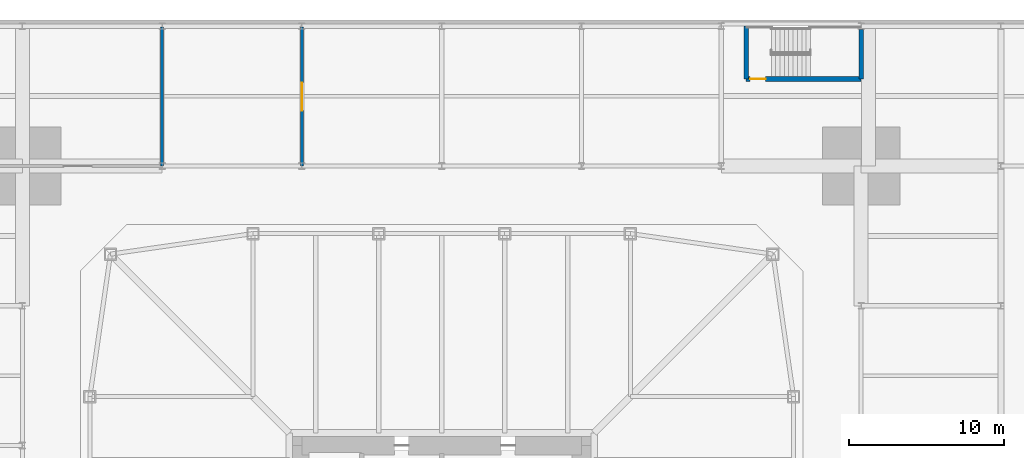
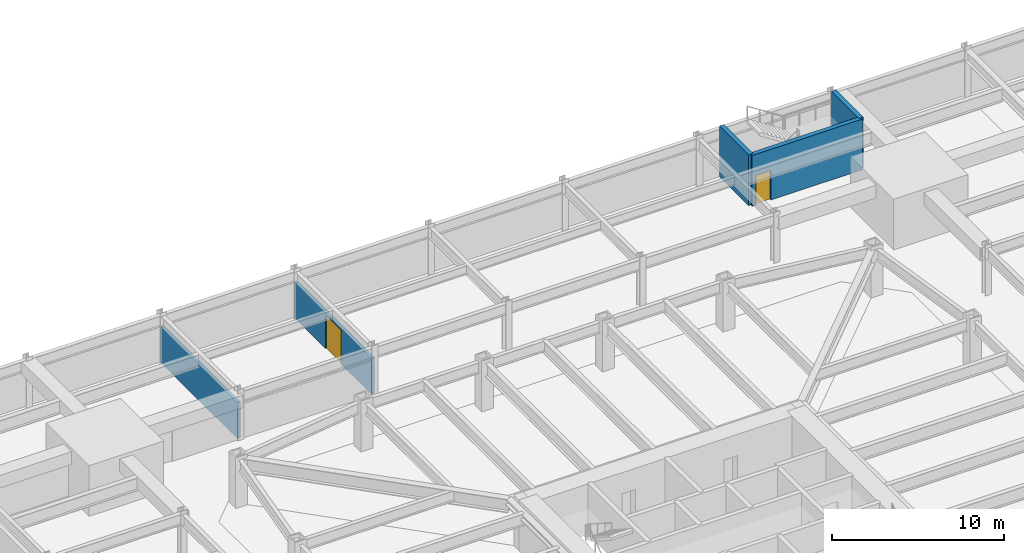
# One storey, part 14 of 17: 5 walls, 2 doors, 2 openings.
"""IFC4 building model written with IfcOpenShell, lengths in metres."""

from ifc_helpers import new_model, si_unit, direction, frame, frame_2d, origin, place, context, subcontext, project, spatial, rectangle, extrude, material, layer, layer_set, type_object, element, fill, save


model = new_model("IFC4")

# Units and contexts
model_context = context("Model", 3, precision=1e-05, world=origin(), true_north=direction((0.0, 1.0)))
body_context = subcontext(model_context, "Body", "Model", "MODEL_VIEW")
ifc_project = project(units=[si_unit("LENGTHUNIT", "METRE"), si_unit("AREAUNIT", "SQUARE_METRE"), si_unit("VOLUMEUNIT", "CUBIC_METRE"), si_unit("PLANEANGLEUNIT", "RADIAN"), si_unit("MASSUNIT", "GRAM", prefix="KILO")], contexts=[model_context])

# Site, building, storey
site_placement = place(None, origin())
site = spatial("IfcSite", under=ifc_project, at=site_placement, CompositionType="ELEMENT")
building_placement = place(site_placement, origin())
building = spatial("IfcBuilding", under=site, at=building_placement, Name="Iwan Alto Co-Living Towers", CompositionType="ELEMENT")
storey_placement = place(building_placement, frame((0.0, 0.0, -3.60009765625)))
storey = spatial("IfcBuildingStorey", under=building, at=storey_placement, Name="B1", CompositionType="ELEMENT", Elevation=-3.60009765625)

# Wall, opening, door
ifc_material_1 = material(Name="Concrete block masonry f*p 10 MPa", Category="masonry")
ifc_layer_1 = layer(ifc_material_1, 0.199951171875)
ifc_layer_set_1 = layer_set([ifc_layer_1], Name="PODIUM INTERNAL WALL 200")
wall_type_1 = type_object("IfcWallType", Name="PODIUM INTERNAL WALL 200", PredefinedType="SOLIDWALL", material=ifc_layer_set_1)
wall_1_placement = place(storey_placement, frame((-9.0, 27.0, 0.0), z_axis=(0.0, 0.0, 1.0), x_axis=(0.0, 1.0, 0.0)))
wall_1 = element("IfcWall", 1, at=wall_1_placement, inside=storey, type_object=wall_type_1, Name="Partition B1", PredefinedType="SOLIDWALL", context=body_context, shape_type="SweptSolid", body=[
    extrude(rectangle(XDim=8.93994140625, YDim=0.199951171875, at=frame_2d((4.469970703125, 0.0))), origin(), (0.0, 0.0, 1.0), 2.58056640625),
])
opening_1_placement = place(wall_1_placement, frame((3.570068359375, 0.0, 0.0)))
opening_1 = element("IfcOpeningElement", 2, at=opening_1_placement, cuts=wall_1, Name="Opening D10", PredefinedType="OPENING", context=body_context, shape_type="SweptSolid", body=[
    extrude(rectangle(XDim=1.800048828125, YDim=2.39990234375, at=frame_2d((0.89990234375, 1.199951171875))), frame((0.0, 0.10986328125, 0.0), z_axis=(0.0, -1.0, 0.0), x_axis=(1.0, 0.0, 0.0)), (0.0, 0.0, 1.0), 0.219970703125),
])
ifc_material_2 = material(Name="Steel frame with timber leaf", Category="steel")
door_type_1 = type_object("IfcDoorType", Name="PLANT ROOM DOOR FD60 1800X2400", OperationType="DOUBLE_DOOR_SINGLE_SWING", PredefinedType="DOOR", material=ifc_material_2)
door_1_placement = place(opening_1_placement, origin())
door_1 = element("IfcDoor", 3, at=door_1_placement, inside=storey, type_object=door_type_1, Name="Standby generator room door B1", OperationType="DOUBLE_DOOR_SINGLE_SWING", OverallHeight=2.39990234375, OverallWidth=1.800048828125, PredefinedType="DOOR", context=body_context, shape_type="SweptSolid", body=[
    extrude(rectangle(XDim=1.800048828125, YDim=2.39990234375, at=frame_2d((0.89990234375, 1.199951171875))), frame((0.0, 0.02490234375, 0.0), z_axis=(0.0, -1.0, 0.0), x_axis=(1.0, 0.0, 0.0)), (0.0, 0.0, 1.0), 0.050048828125),
])
fill(opening_1, door_1)

# Wall
wall_2_placement = place(storey_placement, frame((-18.0, 27.0, 0.0), z_axis=(0.0, 0.0, 1.0), x_axis=(0.0, 1.0, 0.0)))
element("IfcWall", 4, at=wall_2_placement, inside=storey, type_object=wall_type_1, Name="Partition B1", PredefinedType="SOLIDWALL", context=body_context, shape_type="SweptSolid", body=[
    extrude(rectangle(XDim=8.93994140625, YDim=0.199951171875, at=frame_2d((4.469970703125, 0.0))), origin(), (0.0, 0.0, 1.0), 2.58056640625),
])

# Wall, opening, door
ifc_material_3 = material(Name="Concrete f'c 70 MPa", Category="concrete")
ifc_layer_2 = layer(ifc_material_3, 0.300048828125)
ifc_layer_set_2 = layer_set([ifc_layer_2], Name="SHAFT WALL 300")
wall_type_2 = type_object("IfcWallType", Name="SHAFT WALL 300", PredefinedType="SOLIDWALL", material=ifc_layer_set_2)
wall_3_placement = place(storey_placement, frame((19.60009765625, 32.60009765625, 0.0), z_axis=(0.0, 0.0, 1.0), x_axis=(1.0, 0.0, 0.0)))
wall_3 = element("IfcWall", 5, at=wall_3_placement, inside=storey, type_object=wall_type_2, Name="Shaft wall B1", PredefinedType="SOLIDWALL", context=body_context, shape_type="SweptSolid", body=[
    extrude(rectangle(XDim=7.39990234375, YDim=0.300048828125, at=frame_2d((3.699951171875, 0.0))), origin(), (0.0, 0.0, 1.0), 3.60009765625),
])
opening_2_placement = place(wall_3_placement, frame((0.25, 0.0, 0.0)))
opening_2 = element("IfcOpeningElement", 6, at=opening_2_placement, cuts=wall_3, Name="Opening D5", PredefinedType="OPENING", context=body_context, shape_type="SweptSolid", body=[
    extrude(rectangle(XDim=1.0, YDim=2.10009765625, at=frame_2d((0.5, 1.050048828125))), frame((0.0, 0.159912109375, 0.0), z_axis=(0.0, -1.0, 0.0), x_axis=(1.0, 0.0, 0.0)), (0.0, 0.0, 1.0), 0.320068359375),
])
ifc_material_4 = material(Name="Steel frame with timber leaf", Category="steel")
door_type_2 = type_object("IfcDoorType", Name="STAIR DOOR FD120S 1000X2100", OperationType="SINGLE_SWING_LEFT", PredefinedType="DOOR", material=ifc_material_4)
door_2_placement = place(opening_2_placement, origin())
door_2 = element("IfcDoor", 7, at=door_2_placement, inside=storey, type_object=door_type_2, Name="Stair PS3 door B1", OperationType="SINGLE_SWING_LEFT", OverallHeight=2.10009765625, OverallWidth=1.0, PredefinedType="DOOR", context=body_context, shape_type="SweptSolid", body=[
    extrude(rectangle(XDim=1.0, YDim=2.10009765625, at=frame_2d((0.5, 1.050048828125))), frame((0.0, 0.02490234375, 0.0), z_axis=(0.0, -1.0, 0.0), x_axis=(1.0, 0.0, 0.0)), (0.0, 0.0, 1.0), 0.050048828125),
])
fill(opening_2, door_2)

# Walls
wall_4_placement = place(storey_placement, frame((27.0, 32.60009765625, 0.0), z_axis=(0.0, 0.0, 1.0), x_axis=(0.0, 1.0, 0.0)))
element("IfcWall", 8, at=wall_4_placement, inside=storey, type_object=wall_type_2, Name="Shaft wall B1", PredefinedType="SOLIDWALL", context=body_context, shape_type="SweptSolid", body=[
    extrude(rectangle(XDim=3.1826171875, YDim=0.300048828125, at=frame_2d((1.59130859375, 0.0))), origin(), (0.0, 0.0, 1.0), 3.60009765625),
])
wall_5_placement = place(storey_placement, frame((19.60009765625, 32.60009765625, 0.0), z_axis=(0.0, 0.0, 1.0), x_axis=(0.0, 1.0, 0.0)))
element("IfcWall", 9, at=wall_5_placement, inside=storey, type_object=wall_type_2, Name="Shaft wall B1", PredefinedType="SOLIDWALL", context=body_context, shape_type="SweptSolid", body=[
    extrude(rectangle(XDim=3.39990234375, YDim=0.300048828125, at=frame_2d((1.699951171875, 0.0))), origin(), (0.0, 0.0, 1.0), 3.60009765625),
])

save(model, "model.ifc")
